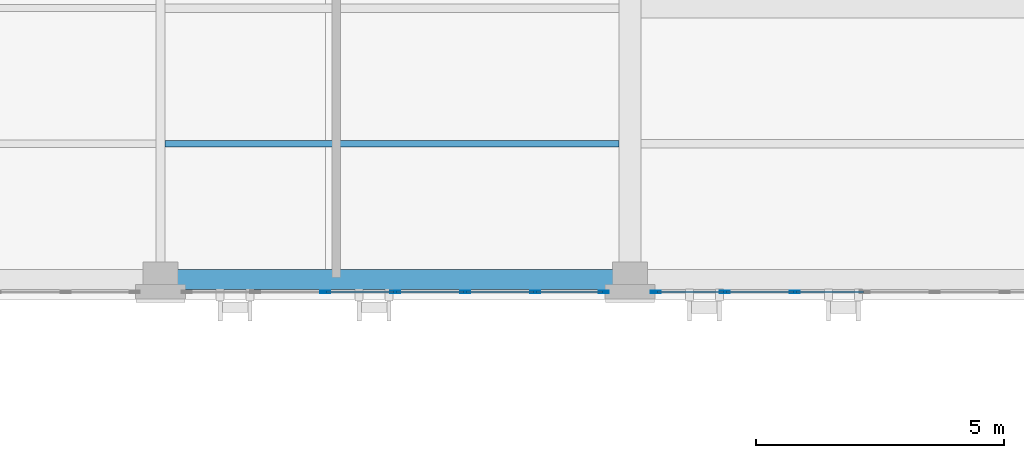
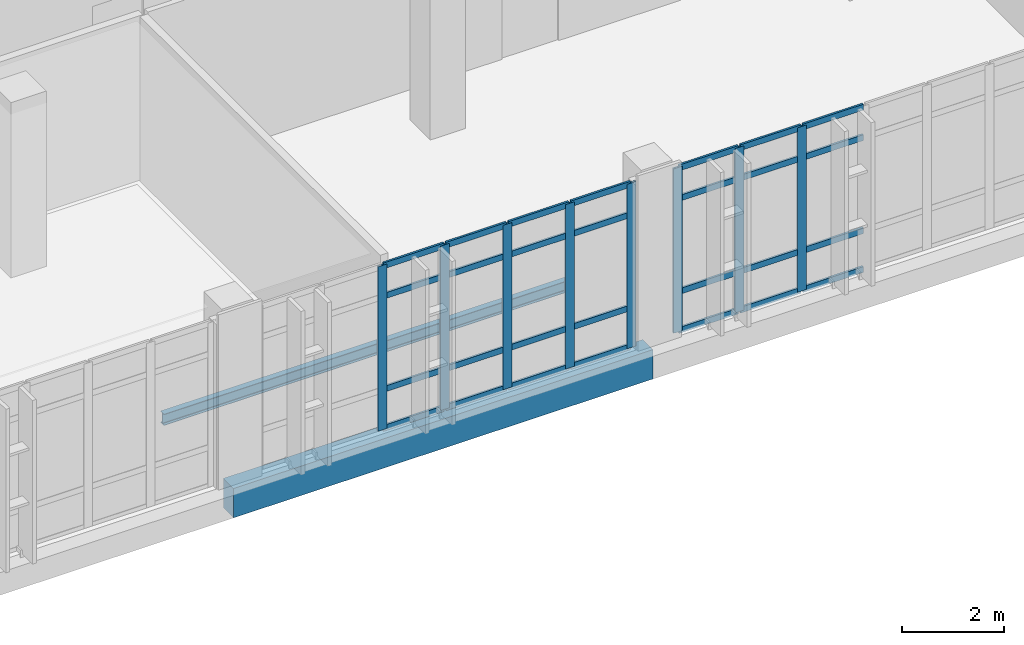
# One storey, part 35 of 165: 36 members, 2 beams, 2 elements without a shape of their own.
"""IFC4 building model written with IfcOpenShell, lengths in metres."""

import ifcopenshell
import ifcopenshell.guid

model = None  # the IFC model being written
_history = None  # IfcOwnerHistory: only IFC2X3 demands one
_inside = {}  # id of a spatial element -> (the spatial element, [elements in it])
_under = {}  # id of a project, library or spatial element -> (it, [spatial elements below it])
_declared = {}  # id of a project -> (the project, [libraries it declares])
_typed = {}  # id of a type object -> (the type object, [elements of that type])
_made_of = {}  # id of a material, layer set ... -> (it, [elements and type objects made of it])


def new_model(schema):
    """Start an empty IFC model of exactly this schema.

    Asked for "IFC4X3", IfcOpenShell would pick the latest addendum, in which some entities
    have other attributes; the version numbers below select the first issue.
    IFC2X3 requires an IfcOwnerHistory on every rooted entity: one is made here for all.
    """
    global model, _history
    if schema == "IFC4X3":
        model = ifcopenshell.file(schema_version=(4, 3, 0, 0))
    else:
        model = ifcopenshell.file(schema=schema)
    _inside.clear()
    _under.clear()
    _declared.clear()
    _typed.clear()
    _made_of.clear()
    _history = None
    if model.schema == "IFC2X3":
        org = make("IfcOrganization", Name="unknown")
        user = make(
            "IfcPersonAndOrganization",
            ThePerson=make("IfcPerson", FamilyName="unknown"),
            TheOrganization=org,
        )
        app = make(
            "IfcApplication",
            ApplicationDeveloper=org,
            Version="unknown",
            ApplicationFullName="unknown",
            ApplicationIdentifier="unknown",
        )
        _history = make(
            "IfcOwnerHistory",
            OwningUser=user,
            OwningApplication=app,
            ChangeAction="ADDED",
            CreationDate=0,
        )
    return model


def make(cls, **values):
    """One entity of the class cls with the attributes given. An attribute that is None is left unset."""
    return model.create_entity(
        cls, **{name: value for name, value in values.items() if value is not None}
    )


def rooted(cls, **values):
    """An entity with a GlobalId (a new one), such as an element, a storey or a relation."""
    return make(cls, GlobalId=ifcopenshell.guid.new(), OwnerHistory=_history, **values)


def si_unit(unit_type, name, prefix=None):
    """IfcSIUnit, for example si_unit("LENGTHUNIT", "METRE", prefix="MILLI")."""
    return make("IfcSIUnit", UnitType=unit_type, Prefix=prefix, Name=name)


def assignment(units):
    """IfcUnitAssignment: the units of a project."""
    return None if units is None else make("IfcUnitAssignment", Units=units)


def point(xyz):
    """IfcCartesianPoint."""
    return None if xyz is None else make("IfcCartesianPoint", Coordinates=xyz)


def direction(xyz):
    """IfcDirection."""
    return None if xyz is None else make("IfcDirection", DirectionRatios=xyz)


def frame(location, z_axis=None, x_axis=None):
    """IfcAxis2Placement3D, a coordinate frame: its origin and axes. An axis left out is left unset."""
    return make(
        "IfcAxis2Placement3D",
        Location=point(location),
        Axis=direction(z_axis),
        RefDirection=direction(x_axis),
    )


def frame_2d(location, x_axis=None):
    """IfcAxis2Placement2D, a coordinate frame in the plane: its origin and x axis."""
    return make(
        "IfcAxis2Placement2D", Location=point(location), RefDirection=direction(x_axis)
    )


def origin():
    """The frame at (0, 0, 0) with its axes left unset."""
    return frame((0.0, 0.0, 0.0))


def origin_2d():
    """The frame at (0, 0) in the plane with its x axis left unset."""
    return frame_2d((0.0, 0.0))


def place(relative_to, where):
    """IfcLocalPlacement: puts the frame where relative to a parent placement (None: the world)."""
    return make(
        "IfcLocalPlacement", PlacementRelTo=relative_to, RelativePlacement=where
    )


def context(
    kind, dimensions, precision=None, world=None, true_north=None, identifier=None
):
    """IfcGeometricRepresentationContext, for example the 3D "Model" context."""
    return make(
        "IfcGeometricRepresentationContext",
        ContextIdentifier=identifier,
        ContextType=kind,
        CoordinateSpaceDimension=dimensions,
        Precision=precision,
        WorldCoordinateSystem=world,
        TrueNorth=true_north,
    )


def subcontext(parent, identifier, kind, view, scale=None):
    """IfcGeometricRepresentationSubContext, for example "Body" below "Model"."""
    return make(
        "IfcGeometricRepresentationSubContext",
        ContextIdentifier=identifier,
        ContextType=kind,
        ParentContext=parent,
        TargetScale=scale,
        TargetView=view,
    )


def project(units=None, contexts=None):
    """IfcProject with its units and contexts."""
    return rooted(
        "IfcProject",
        Name="project",
        RepresentationContexts=contexts,
        UnitsInContext=assignment(units),
    )


def spatial(cls, under=None, at=None, **own):
    """A site, building, storey or space (cls), placed at a placement, below another one or the project."""
    s = rooted(cls, ObjectPlacement=at, **own)
    if under is not None:
        _under.setdefault(under.id(), (under, []))[1].append(s)
    return s


def profile(cls, at=None, kind="AREA", **sizes):
    """A parametric profile (cls). Its sizes go by their IFC names, for example OverallWidth=200.0."""
    return make(cls, ProfileType=kind, Position=at, **sizes)


def rectangle(**sizes):
    """IfcRectangleProfileDef."""
    return profile("IfcRectangleProfileDef", **sizes)


def hollow_rectangle(**sizes):
    """IfcRectangleHollowProfileDef."""
    return profile("IfcRectangleHollowProfileDef", **sizes)


def i_section(**sizes):
    """IfcIShapeProfileDef."""
    return profile("IfcIShapeProfileDef", **sizes)


def extrude(swept, where, along, depth):
    """IfcExtrudedAreaSolid: the profile swept, set in the frame where, extruded along a direction by depth."""
    return make(
        "IfcExtrudedAreaSolid",
        SweptArea=swept,
        Position=where,
        ExtrudedDirection=direction(along),
        Depth=depth,
    )


def shape(context_of_items, identifier, shape_type, items):
    """IfcShapeRepresentation: the items that make up one representation, for example the "Body"."""
    return make(
        "IfcShapeRepresentation",
        ContextOfItems=context_of_items,
        RepresentationIdentifier=identifier,
        RepresentationType=shape_type,
        Items=items,
    )


def material(Name=None, Category=None):
    """IfcMaterial."""
    return make("IfcMaterial", Name=Name, Category=Category)


def layer(
    of_material, thickness, ventilated=None, Name=None, Category=None, Priority=None
):
    """IfcMaterialLayer: one layer of a wall or slab, of a material (None: an air gap)."""
    return make(
        "IfcMaterialLayer",
        Material=of_material,
        LayerThickness=thickness,
        IsVentilated=ventilated,
        Name=Name,
        Category=Category,
        Priority=Priority,
    )


def layer_set(layers, Name=None):
    """IfcMaterialLayerSet."""
    return make("IfcMaterialLayerSet", MaterialLayers=layers, LayerSetName=Name)


def material_profile(
    of_material, cross_section, Name=None, Category=None, Priority=None
):
    """IfcMaterialProfile: a cross section and its material."""
    return make(
        "IfcMaterialProfile",
        Name=Name,
        Material=of_material,
        Profile=cross_section,
        Priority=Priority,
        Category=Category,
    )


def profile_set(profiles, Name=None, composite=None):
    """IfcMaterialProfileSet."""
    return make(
        "IfcMaterialProfileSet",
        Name=Name,
        MaterialProfiles=profiles,
        CompositeProfile=composite,
    )


def made_of(thing, what):
    """Note that an element or type object is made of a material, layer set ...; save() writes the relation."""
    if what is not None:
        _made_of.setdefault(what.id(), (what, []))[1].append(thing)
    return thing


def type_object(cls, material=None, **own):
    """A type object (cls), such as IfcWallType, which elements share."""
    return made_of(rooted(cls, **own), material)


def element(
    cls,
    number,
    at=None,
    inside=None,
    cuts=None,
    type_object=None,
    material=None,
    context=None,
    identifier="Body",
    shape_type=None,
    held_by="IfcProductDefinitionShape",
    body=None,
    shapes=None,
    **own,
):
    """One element of the class cls, such as IfcWall. Its Tag is "e" and its number.

    at: its placement. inside: the storey or other place that contains it. cuts: it is an
    opening in that element (IfcRelVoidsElement). A single representation is given by context,
    identifier, shape_type and body (its items); several are given by shapes. held_by: the class
    of the entity that holds the representations. save() writes the other relations.
    """
    e = rooted(cls, Tag="e%d" % number, ObjectPlacement=at, **own)
    if body is not None:
        shapes = [shape(context, identifier, shape_type, body)]
    if shapes is not None:
        e.Representation = make(held_by, Representations=shapes)
    if inside is not None:
        _inside.setdefault(inside.id(), (inside, []))[1].append(e)
    if cuts is not None:
        rooted(
            "IfcRelVoidsElement", RelatingBuildingElement=cuts, RelatedOpeningElement=e
        )
    if type_object is not None:
        _typed.setdefault(type_object.id(), (type_object, []))[1].append(e)
    return made_of(e, material)


def aggregate(whole, parts):
    """IfcRelAggregates: a whole, such as a stair, and the parts it consists of."""
    return rooted("IfcRelAggregates", RelatingObject=whole, RelatedObjects=parts)


def save(model, path):
    """Write the relations noted so far, then the file.

    IfcRelAggregates (storeys below a building ...), IfcRelContainedInSpatialStructure (elements
    in a storey), IfcRelDefinesByType, IfcRelAssociatesMaterial and IfcRelDeclares: one each for
    every whole, place, type object, material and project.
    """
    for whole, parts in _under.values():
        aggregate(whole, parts)
    for where, things in _inside.values():
        rooted(
            "IfcRelContainedInSpatialStructure",
            RelatedElements=things,
            RelatingStructure=where,
        )
    for kind, things in _typed.values():
        rooted("IfcRelDefinesByType", RelatedObjects=things, RelatingType=kind)
    for what, things in _made_of.values():
        rooted("IfcRelAssociatesMaterial", RelatedObjects=things, RelatingMaterial=what)
    for by, libraries in _declared.values():
        rooted("IfcRelDeclares", RelatingContext=by, RelatedDefinitions=libraries)
    model.write(path)


model = new_model("IFC4")

# Units and contexts
model_context = context("Model", 3, precision=1e-05, world=origin(), true_north=direction((0.0, 1.0)))
body_context = subcontext(model_context, "Body", "Model", "MODEL_VIEW")
ifc_project = project(units=[si_unit("LENGTHUNIT", "METRE"), si_unit("AREAUNIT", "SQUARE_METRE"), si_unit("VOLUMEUNIT", "CUBIC_METRE"), si_unit("PLANEANGLEUNIT", "RADIAN"), si_unit("MASSUNIT", "GRAM", prefix="KILO")], contexts=[model_context])

# Site, building, storey
site_placement = place(None, origin())
site = spatial("IfcSite", under=ifc_project, at=site_placement, CompositionType="ELEMENT")
building_placement = place(site_placement, origin())
building = spatial("IfcBuilding", under=site, at=building_placement, Name="Qalavern Law Courts", CompositionType="ELEMENT")
storey_placement = place(building_placement, frame((0.0, 0.0, 14.39990234375)))
storey = spatial("IfcBuildingStorey", under=building, at=storey_placement, Name="L03", CompositionType="ELEMENT", Elevation=14.39990234375)

# Curtain wall, members
ifc_material_1 = material(Name="Anodised aluminium and insulated glazing", Category="aluminium")
ifc_layer = layer(ifc_material_1, 0.18505859375)
ifc_layer_set = layer_set([ifc_layer], Name="Anodised aluminium and insulated glazing")
curtain_wall_type = type_object("IfcCurtainWallType", Name="ENV-CW-HALL", PredefinedType="USERDEFINED", material=ifc_layer_set)
curtain_wall_1_placement = place(storey_placement, origin())
curtain_wall_1 = element("IfcCurtainWall", 1, at=curtain_wall_1_placement, inside=storey, type_object=curtain_wall_type, Name="V2 unitised curtain wall L03 south 3", ObjectType="UNITISED CURTAIN WALL", PredefinedType="USERDEFINED")
ifc_material_2 = material(Name="Anodised aluminium", Category="aluminium")
ifc_material_profile_1 = material_profile(ifc_material_2, hollow_rectangle(XDim=0.048095703125, YDim=0.199951171875, WallThickness=0.00439453125, at=origin_2d()), Name="ALU MULLION 48x200")
ifc_profile_set_1 = profile_set([ifc_material_profile_1], Name="Anodised aluminium")
member_type_1 = type_object("IfcMemberType", Name="ENV-CWM-48x200", PredefinedType="MULLION", material=ifc_profile_set_1)
member_1_placement = place(storey_placement, frame((66.301025390625, 5.347412109375, 0.0), z_axis=(0.0, 0.0, 1.0), x_axis=(0.0, 1.0, 0.0)))
member_1 = element("IfcMember", 2, at=member_1_placement, type_object=member_type_1, Name="CW-02 mullion 3", PredefinedType="MULLION", context=body_context, shape_type="SweptSolid", body=[
    extrude(hollow_rectangle(XDim=0.048095703125, YDim=0.199951171875, WallThickness=0.00439453125, at=origin_2d()), origin(), (0.0, 0.0, 1.0), 3.920166015625),
])
member_2_placement = place(storey_placement, frame((67.7099609375, 5.347412109375, 0.0), z_axis=(0.0, 0.0, 1.0), x_axis=(0.0, 1.0, 0.0)))
member_2 = element("IfcMember", 3, at=member_2_placement, type_object=member_type_1, Name="CW-02 mullion 4", PredefinedType="MULLION", context=body_context, shape_type="SweptSolid", body=[
    extrude(hollow_rectangle(XDim=0.048095703125, YDim=0.199951171875, WallThickness=0.00439453125, at=origin_2d()), origin(), (0.0, 0.0, 1.0), 3.920166015625),
])
member_3_placement = place(storey_placement, frame((69.119140625, 5.347412109375, 0.0), z_axis=(0.0, 0.0, 1.0), x_axis=(0.0, 1.0, 0.0)))
member_3 = element("IfcMember", 4, at=member_3_placement, type_object=member_type_1, Name="CW-02 mullion 5", PredefinedType="MULLION", context=body_context, shape_type="SweptSolid", body=[
    extrude(hollow_rectangle(XDim=0.048095703125, YDim=0.199951171875, WallThickness=0.00439453125, at=origin_2d()), origin(), (0.0, 0.0, 1.0), 3.920166015625),
])
member_4_placement = place(storey_placement, frame((70.528076171875, 5.347412109375, 0.0), z_axis=(0.0, 0.0, 1.0), x_axis=(0.0, 1.0, 0.0)))
member_4 = element("IfcMember", 5, at=member_4_placement, type_object=member_type_1, Name="CW-02 mullion 6", PredefinedType="MULLION", context=body_context, shape_type="SweptSolid", body=[
    extrude(hollow_rectangle(XDim=0.048095703125, YDim=0.199951171875, WallThickness=0.00439453125, at=origin_2d()), origin(), (0.0, 0.0, 1.0), 3.920166015625),
])
member_5_placement = place(storey_placement, frame((71.9130859375, 5.347412109375, 0.0), z_axis=(0.0, 0.0, 1.0), x_axis=(0.0, 1.0, 0.0)))
member_5 = element("IfcMember", 6, at=member_5_placement, type_object=member_type_1, Name="CW-02 mullion 7", PredefinedType="MULLION", context=body_context, shape_type="SweptSolid", body=[
    extrude(hollow_rectangle(XDim=0.048095703125, YDim=0.199951171875, WallThickness=0.00439453125, at=origin_2d()), origin(), (0.0, 0.0, 1.0), 3.920166015625),
])

curtain_wall_2_placement = place(storey_placement, origin())
curtain_wall_2 = element("IfcCurtainWall", 7, at=curtain_wall_2_placement, inside=storey, type_object=curtain_wall_type, Name="V2 unitised curtain wall L03 south 4", ObjectType="UNITISED CURTAIN WALL", PredefinedType="USERDEFINED")
member_6_placement = place(storey_placement, frame((72.961181640625, 5.347412109375, 0.0), z_axis=(0.0, 0.0, 1.0), x_axis=(0.0, 1.0, 0.0)))
member_6 = element("IfcMember", 8, at=member_6_placement, type_object=member_type_1, Name="CW-02 mullion 1", PredefinedType="MULLION", context=body_context, shape_type="SweptSolid", body=[
    extrude(hollow_rectangle(XDim=0.048095703125, YDim=0.199951171875, WallThickness=0.00439453125, at=origin_2d()), origin(), (0.0, 0.0, 1.0), 3.920166015625),
])
member_7_placement = place(storey_placement, frame((74.34619140625, 5.347412109375, 0.0), z_axis=(0.0, 0.0, 1.0), x_axis=(0.0, 1.0, 0.0)))
member_7 = element("IfcMember", 9, at=member_7_placement, type_object=member_type_1, Name="CW-02 mullion 2", PredefinedType="MULLION", context=body_context, shape_type="SweptSolid", body=[
    extrude(hollow_rectangle(XDim=0.048095703125, YDim=0.199951171875, WallThickness=0.00439453125, at=origin_2d()), origin(), (0.0, 0.0, 1.0), 3.920166015625),
])
member_8_placement = place(storey_placement, frame((75.755126953125, 5.347412109375, 0.0), z_axis=(0.0, 0.0, 1.0), x_axis=(0.0, 1.0, 0.0)))
member_8 = element("IfcMember", 10, at=member_8_placement, type_object=member_type_1, Name="CW-02 mullion 3", PredefinedType="MULLION", context=body_context, shape_type="SweptSolid", body=[
    extrude(hollow_rectangle(XDim=0.048095703125, YDim=0.199951171875, WallThickness=0.00439453125, at=origin_2d()), origin(), (0.0, 0.0, 1.0), 3.920166015625),
])

# Member
ifc_material_profile_2 = material_profile(ifc_material_2, hollow_rectangle(XDim=0.048095703125, YDim=0.139892578125, WallThickness=0.00390625, at=origin_2d()), Name="ALU TRANSOM 48x140")
ifc_profile_set_2 = profile_set([ifc_material_profile_2], Name="Anodised aluminium")
member_type_2 = type_object("IfcMemberType", Name="ENV-CWT-48x140", PredefinedType="USERDEFINED", material=ifc_profile_set_2)
member_9_placement = place(storey_placement, frame((66.324951171875, 5.347412109375, 0.024169921875), z_axis=(1.0, 0.0, 0.0), x_axis=(0.0, 1.0, 0.0)))
member_9 = element("IfcMember", 11, at=member_9_placement, type_object=member_type_2, Name="CW-02 transom 3.1", ObjectType="TRANSOM", PredefinedType="USERDEFINED", context=body_context, shape_type="SweptSolid", body=[
    extrude(hollow_rectangle(XDim=0.048095703125, YDim=0.139892578125, WallThickness=0.00390625, at=origin_2d()), origin(), (0.0, 0.0, 1.0), 1.361083984375),
])

member_10_placement = place(storey_placement, frame((66.324951171875, 5.347412109375, 0.9501953125), z_axis=(1.0, 0.0, 0.0), x_axis=(0.0, 1.0, 0.0)))
member_10 = element("IfcMember", 12, at=member_10_placement, type_object=member_type_2, Name="CW-02 transom 3.2", ObjectType="TRANSOM", PredefinedType="USERDEFINED", context=body_context, shape_type="SweptSolid", body=[
    extrude(hollow_rectangle(XDim=0.048095703125, YDim=0.139892578125, WallThickness=0.00390625, at=origin_2d()), origin(), (0.0, 0.0, 1.0), 1.361083984375),
])

member_11_placement = place(storey_placement, frame((66.324951171875, 5.347412109375, 3.170166015625), z_axis=(1.0, 0.0, 0.0), x_axis=(0.0, 1.0, 0.0)))
member_11 = element("IfcMember", 13, at=member_11_placement, type_object=member_type_2, Name="CW-02 transom 3.3", ObjectType="TRANSOM", PredefinedType="USERDEFINED", context=body_context, shape_type="SweptSolid", body=[
    extrude(hollow_rectangle(XDim=0.048095703125, YDim=0.139892578125, WallThickness=0.00390625, at=origin_2d()), origin(), (0.0, 0.0, 1.0), 1.361083984375),
])

member_12_placement = place(storey_placement, frame((66.324951171875, 5.347412109375, 3.89599609375), z_axis=(1.0, 0.0, 0.0), x_axis=(0.0, 1.0, 0.0)))
member_12 = element("IfcMember", 14, at=member_12_placement, type_object=member_type_2, Name="CW-02 transom 3.4", ObjectType="TRANSOM", PredefinedType="USERDEFINED", context=body_context, shape_type="SweptSolid", body=[
    extrude(hollow_rectangle(XDim=0.048095703125, YDim=0.139892578125, WallThickness=0.00390625, at=origin_2d()), origin(), (0.0, 0.0, 1.0), 1.361083984375),
])

member_13_placement = place(storey_placement, frame((67.73388671875, 5.347412109375, 0.024169921875), z_axis=(1.0, 0.0, 0.0), x_axis=(0.0, 1.0, 0.0)))
member_13 = element("IfcMember", 15, at=member_13_placement, type_object=member_type_2, Name="CW-02 transom 4.1", ObjectType="TRANSOM", PredefinedType="USERDEFINED", context=body_context, shape_type="SweptSolid", body=[
    extrude(hollow_rectangle(XDim=0.048095703125, YDim=0.139892578125, WallThickness=0.00390625, at=origin_2d()), origin(), (0.0, 0.0, 1.0), 1.361083984375),
])

member_14_placement = place(storey_placement, frame((67.73388671875, 5.347412109375, 0.9501953125), z_axis=(1.0, 0.0, 0.0), x_axis=(0.0, 1.0, 0.0)))
member_14 = element("IfcMember", 16, at=member_14_placement, type_object=member_type_2, Name="CW-02 transom 4.2", ObjectType="TRANSOM", PredefinedType="USERDEFINED", context=body_context, shape_type="SweptSolid", body=[
    extrude(hollow_rectangle(XDim=0.048095703125, YDim=0.139892578125, WallThickness=0.00390625, at=origin_2d()), origin(), (0.0, 0.0, 1.0), 1.361083984375),
])

member_15_placement = place(storey_placement, frame((67.73388671875, 5.347412109375, 3.170166015625), z_axis=(1.0, 0.0, 0.0), x_axis=(0.0, 1.0, 0.0)))
member_15 = element("IfcMember", 17, at=member_15_placement, type_object=member_type_2, Name="CW-02 transom 4.3", ObjectType="TRANSOM", PredefinedType="USERDEFINED", context=body_context, shape_type="SweptSolid", body=[
    extrude(hollow_rectangle(XDim=0.048095703125, YDim=0.139892578125, WallThickness=0.00390625, at=origin_2d()), origin(), (0.0, 0.0, 1.0), 1.361083984375),
])

member_16_placement = place(storey_placement, frame((67.73388671875, 5.347412109375, 3.89599609375), z_axis=(1.0, 0.0, 0.0), x_axis=(0.0, 1.0, 0.0)))
member_16 = element("IfcMember", 18, at=member_16_placement, type_object=member_type_2, Name="CW-02 transom 4.4", ObjectType="TRANSOM", PredefinedType="USERDEFINED", context=body_context, shape_type="SweptSolid", body=[
    extrude(hollow_rectangle(XDim=0.048095703125, YDim=0.139892578125, WallThickness=0.00390625, at=origin_2d()), origin(), (0.0, 0.0, 1.0), 1.361083984375),
])

member_17_placement = place(storey_placement, frame((69.14306640625, 5.347412109375, 0.024169921875), z_axis=(1.0, 0.0, 0.0), x_axis=(0.0, 1.0, 0.0)))
member_17 = element("IfcMember", 19, at=member_17_placement, type_object=member_type_2, Name="CW-02 transom 5.1", ObjectType="TRANSOM", PredefinedType="USERDEFINED", context=body_context, shape_type="SweptSolid", body=[
    extrude(hollow_rectangle(XDim=0.048095703125, YDim=0.139892578125, WallThickness=0.00390625, at=origin_2d()), origin(), (0.0, 0.0, 1.0), 1.361083984375),
])

member_18_placement = place(storey_placement, frame((69.14306640625, 5.347412109375, 0.9501953125), z_axis=(1.0, 0.0, 0.0), x_axis=(0.0, 1.0, 0.0)))
member_18 = element("IfcMember", 20, at=member_18_placement, type_object=member_type_2, Name="CW-02 transom 5.2", ObjectType="TRANSOM", PredefinedType="USERDEFINED", context=body_context, shape_type="SweptSolid", body=[
    extrude(hollow_rectangle(XDim=0.048095703125, YDim=0.139892578125, WallThickness=0.00390625, at=origin_2d()), origin(), (0.0, 0.0, 1.0), 1.361083984375),
])

member_19_placement = place(storey_placement, frame((69.14306640625, 5.347412109375, 3.170166015625), z_axis=(1.0, 0.0, 0.0), x_axis=(0.0, 1.0, 0.0)))
member_19 = element("IfcMember", 21, at=member_19_placement, type_object=member_type_2, Name="CW-02 transom 5.3", ObjectType="TRANSOM", PredefinedType="USERDEFINED", context=body_context, shape_type="SweptSolid", body=[
    extrude(hollow_rectangle(XDim=0.048095703125, YDim=0.139892578125, WallThickness=0.00390625, at=origin_2d()), origin(), (0.0, 0.0, 1.0), 1.361083984375),
])

member_20_placement = place(storey_placement, frame((69.14306640625, 5.347412109375, 3.89599609375), z_axis=(1.0, 0.0, 0.0), x_axis=(0.0, 1.0, 0.0)))
member_20 = element("IfcMember", 22, at=member_20_placement, type_object=member_type_2, Name="CW-02 transom 5.4", ObjectType="TRANSOM", PredefinedType="USERDEFINED", context=body_context, shape_type="SweptSolid", body=[
    extrude(hollow_rectangle(XDim=0.048095703125, YDim=0.139892578125, WallThickness=0.00390625, at=origin_2d()), origin(), (0.0, 0.0, 1.0), 1.361083984375),
])

member_21_placement = place(storey_placement, frame((70.552001953125, 5.347412109375, 0.024169921875), z_axis=(1.0, 0.0, 0.0), x_axis=(0.0, 1.0, 0.0)))
member_21 = element("IfcMember", 23, at=member_21_placement, type_object=member_type_2, Name="CW-02 transom 6.1", ObjectType="TRANSOM", PredefinedType="USERDEFINED", context=body_context, shape_type="SweptSolid", body=[
    extrude(hollow_rectangle(XDim=0.048095703125, YDim=0.139892578125, WallThickness=0.00390625, at=origin_2d()), origin(), (0.0, 0.0, 1.0), 1.337158203125),
])

member_22_placement = place(storey_placement, frame((70.552001953125, 5.347412109375, 0.9501953125), z_axis=(1.0, 0.0, 0.0), x_axis=(0.0, 1.0, 0.0)))
member_22 = element("IfcMember", 24, at=member_22_placement, type_object=member_type_2, Name="CW-02 transom 6.2", ObjectType="TRANSOM", PredefinedType="USERDEFINED", context=body_context, shape_type="SweptSolid", body=[
    extrude(hollow_rectangle(XDim=0.048095703125, YDim=0.139892578125, WallThickness=0.00390625, at=origin_2d()), origin(), (0.0, 0.0, 1.0), 1.337158203125),
])

member_23_placement = place(storey_placement, frame((70.552001953125, 5.347412109375, 3.170166015625), z_axis=(1.0, 0.0, 0.0), x_axis=(0.0, 1.0, 0.0)))
member_23 = element("IfcMember", 25, at=member_23_placement, type_object=member_type_2, Name="CW-02 transom 6.3", ObjectType="TRANSOM", PredefinedType="USERDEFINED", context=body_context, shape_type="SweptSolid", body=[
    extrude(hollow_rectangle(XDim=0.048095703125, YDim=0.139892578125, WallThickness=0.00390625, at=origin_2d()), origin(), (0.0, 0.0, 1.0), 1.337158203125),
])

member_24_placement = place(storey_placement, frame((70.552001953125, 5.347412109375, 3.89599609375), z_axis=(1.0, 0.0, 0.0), x_axis=(0.0, 1.0, 0.0)))
member_24 = element("IfcMember", 26, at=member_24_placement, type_object=member_type_2, Name="CW-02 transom 6.4", ObjectType="TRANSOM", PredefinedType="USERDEFINED", context=body_context, shape_type="SweptSolid", body=[
    extrude(hollow_rectangle(XDim=0.048095703125, YDim=0.139892578125, WallThickness=0.00390625, at=origin_2d()), origin(), (0.0, 0.0, 1.0), 1.337158203125),
])

aggregate(curtain_wall_1, [member_1, member_2, member_3, member_4, member_5, member_9, member_10, member_11, member_12, member_13, member_14, member_15, member_16, member_17, member_18, member_19, member_20, member_21, member_22, member_23, member_24])

member_25_placement = place(storey_placement, frame((72.985107421875, 5.347412109375, 0.024169921875), z_axis=(1.0, 0.0, 0.0), x_axis=(0.0, 1.0, 0.0)))
member_25 = element("IfcMember", 27, at=member_25_placement, type_object=member_type_2, Name="CW-02 transom 1.1", ObjectType="TRANSOM", PredefinedType="USERDEFINED", context=body_context, shape_type="SweptSolid", body=[
    extrude(hollow_rectangle(XDim=0.048095703125, YDim=0.139892578125, WallThickness=0.00390625, at=origin_2d()), origin(), (0.0, 0.0, 1.0), 1.337158203125),
])

member_26_placement = place(storey_placement, frame((72.985107421875, 5.347412109375, 0.9501953125), z_axis=(1.0, 0.0, 0.0), x_axis=(0.0, 1.0, 0.0)))
member_26 = element("IfcMember", 28, at=member_26_placement, type_object=member_type_2, Name="CW-02 transom 1.2", ObjectType="TRANSOM", PredefinedType="USERDEFINED", context=body_context, shape_type="SweptSolid", body=[
    extrude(hollow_rectangle(XDim=0.048095703125, YDim=0.139892578125, WallThickness=0.00390625, at=origin_2d()), origin(), (0.0, 0.0, 1.0), 1.337158203125),
])

member_27_placement = place(storey_placement, frame((72.985107421875, 5.347412109375, 3.170166015625), z_axis=(1.0, 0.0, 0.0), x_axis=(0.0, 1.0, 0.0)))
member_27 = element("IfcMember", 29, at=member_27_placement, type_object=member_type_2, Name="CW-02 transom 1.3", ObjectType="TRANSOM", PredefinedType="USERDEFINED", context=body_context, shape_type="SweptSolid", body=[
    extrude(hollow_rectangle(XDim=0.048095703125, YDim=0.139892578125, WallThickness=0.00390625, at=origin_2d()), origin(), (0.0, 0.0, 1.0), 1.337158203125),
])

member_28_placement = place(storey_placement, frame((72.985107421875, 5.347412109375, 3.89599609375), z_axis=(1.0, 0.0, 0.0), x_axis=(0.0, 1.0, 0.0)))
member_28 = element("IfcMember", 30, at=member_28_placement, type_object=member_type_2, Name="CW-02 transom 1.4", ObjectType="TRANSOM", PredefinedType="USERDEFINED", context=body_context, shape_type="SweptSolid", body=[
    extrude(hollow_rectangle(XDim=0.048095703125, YDim=0.139892578125, WallThickness=0.00390625, at=origin_2d()), origin(), (0.0, 0.0, 1.0), 1.337158203125),
])

member_29_placement = place(storey_placement, frame((74.3701171875, 5.347412109375, 0.024169921875), z_axis=(1.0, 0.0, 0.0), x_axis=(0.0, 1.0, 0.0)))
member_29 = element("IfcMember", 31, at=member_29_placement, type_object=member_type_2, Name="CW-02 transom 2.1", ObjectType="TRANSOM", PredefinedType="USERDEFINED", context=body_context, shape_type="SweptSolid", body=[
    extrude(hollow_rectangle(XDim=0.048095703125, YDim=0.139892578125, WallThickness=0.00390625, at=origin_2d()), origin(), (0.0, 0.0, 1.0), 1.361083984375),
])

member_30_placement = place(storey_placement, frame((74.3701171875, 5.347412109375, 0.9501953125), z_axis=(1.0, 0.0, 0.0), x_axis=(0.0, 1.0, 0.0)))
member_30 = element("IfcMember", 32, at=member_30_placement, type_object=member_type_2, Name="CW-02 transom 2.2", ObjectType="TRANSOM", PredefinedType="USERDEFINED", context=body_context, shape_type="SweptSolid", body=[
    extrude(hollow_rectangle(XDim=0.048095703125, YDim=0.139892578125, WallThickness=0.00390625, at=origin_2d()), origin(), (0.0, 0.0, 1.0), 1.361083984375),
])

member_31_placement = place(storey_placement, frame((74.3701171875, 5.347412109375, 3.170166015625), z_axis=(1.0, 0.0, 0.0), x_axis=(0.0, 1.0, 0.0)))
member_31 = element("IfcMember", 33, at=member_31_placement, type_object=member_type_2, Name="CW-02 transom 2.3", ObjectType="TRANSOM", PredefinedType="USERDEFINED", context=body_context, shape_type="SweptSolid", body=[
    extrude(hollow_rectangle(XDim=0.048095703125, YDim=0.139892578125, WallThickness=0.00390625, at=origin_2d()), origin(), (0.0, 0.0, 1.0), 1.361083984375),
])

member_32_placement = place(storey_placement, frame((74.3701171875, 5.347412109375, 3.89599609375), z_axis=(1.0, 0.0, 0.0), x_axis=(0.0, 1.0, 0.0)))
member_32 = element("IfcMember", 34, at=member_32_placement, type_object=member_type_2, Name="CW-02 transom 2.4", ObjectType="TRANSOM", PredefinedType="USERDEFINED", context=body_context, shape_type="SweptSolid", body=[
    extrude(hollow_rectangle(XDim=0.048095703125, YDim=0.139892578125, WallThickness=0.00390625, at=origin_2d()), origin(), (0.0, 0.0, 1.0), 1.361083984375),
])

member_33_placement = place(storey_placement, frame((75.779296875, 5.347412109375, 0.024169921875), z_axis=(1.0, 0.0, 0.0), x_axis=(0.0, 1.0, 0.0)))
member_33 = element("IfcMember", 35, at=member_33_placement, type_object=member_type_2, Name="CW-02 transom 3.1", ObjectType="TRANSOM", PredefinedType="USERDEFINED", context=body_context, shape_type="SweptSolid", body=[
    extrude(hollow_rectangle(XDim=0.048095703125, YDim=0.139892578125, WallThickness=0.00390625, at=origin_2d()), origin(), (0.0, 0.0, 1.0), 1.36083984375),
])

member_34_placement = place(storey_placement, frame((75.779296875, 5.347412109375, 0.9501953125), z_axis=(1.0, 0.0, 0.0), x_axis=(0.0, 1.0, 0.0)))
member_34 = element("IfcMember", 36, at=member_34_placement, type_object=member_type_2, Name="CW-02 transom 3.2", ObjectType="TRANSOM", PredefinedType="USERDEFINED", context=body_context, shape_type="SweptSolid", body=[
    extrude(hollow_rectangle(XDim=0.048095703125, YDim=0.139892578125, WallThickness=0.00390625, at=origin_2d()), origin(), (0.0, 0.0, 1.0), 1.36083984375),
])

member_35_placement = place(storey_placement, frame((75.779296875, 5.347412109375, 3.170166015625), z_axis=(1.0, 0.0, 0.0), x_axis=(0.0, 1.0, 0.0)))
member_35 = element("IfcMember", 37, at=member_35_placement, type_object=member_type_2, Name="CW-02 transom 3.3", ObjectType="TRANSOM", PredefinedType="USERDEFINED", context=body_context, shape_type="SweptSolid", body=[
    extrude(hollow_rectangle(XDim=0.048095703125, YDim=0.139892578125, WallThickness=0.00390625, at=origin_2d()), origin(), (0.0, 0.0, 1.0), 1.36083984375),
])

member_36_placement = place(storey_placement, frame((75.779296875, 5.347412109375, 3.89599609375), z_axis=(1.0, 0.0, 0.0), x_axis=(0.0, 1.0, 0.0)))
member_36 = element("IfcMember", 38, at=member_36_placement, type_object=member_type_2, Name="CW-02 transom 3.4", ObjectType="TRANSOM", PredefinedType="USERDEFINED", context=body_context, shape_type="SweptSolid", body=[
    extrude(hollow_rectangle(XDim=0.048095703125, YDim=0.139892578125, WallThickness=0.00390625, at=origin_2d()), origin(), (0.0, 0.0, 1.0), 1.36083984375),
])

aggregate(curtain_wall_2, [member_6, member_7, member_8, member_25, member_26, member_27, member_28, member_29, member_30, member_31, member_32, member_33, member_34, member_35, member_36])

# Beams
ifc_material_3 = material(Name="Steel S355", Category="steel")
ifc_material_profile_3 = material_profile(ifc_material_3, i_section(OverallWidth=0.135009765625, OverallDepth=0.27001953125, WebThickness=0.006591796875, FlangeThickness=0.01025390625, FilletRadius=0.014892578125, at=origin_2d()), Name="IPE 270")
ifc_profile_set_3 = profile_set([ifc_material_profile_3], Name="Steel S355")
beam_type_1 = type_object("IfcBeamType", Name="STR-JST-IPE270", PredefinedType="JOIST", material=ifc_profile_set_3)
beam_1_placement = place(storey_placement, frame((63.07080078125, 8.333251953125, -0.419921875), z_axis=(1.0, 0.0, 0.0), x_axis=(0.0, 1.0, 0.0)))
element("IfcBeam", 39, at=beam_1_placement, inside=storey, type_object=beam_type_1, Name="V2 secondary joist 4.1.1 L03", PredefinedType="JOIST", context=body_context, shape_type="SweptSolid", body=[
    extrude(i_section(OverallWidth=0.135009765625, OverallDepth=0.27001953125, WebThickness=0.006591796875, FlangeThickness=0.01025390625, FilletRadius=0.014892578125, at=origin_2d()), origin(), (0.0, 0.0, 1.0), 9.143310546875),
])
ifc_material_4 = material(Name="Concrete C40/50", Category="concrete")
ifc_material_profile_4 = material_profile(ifc_material_4, rectangle(XDim=0.39990234375, YDim=0.699951171875, at=origin_2d()), Name="RC 400x700")
ifc_profile_set_4 = profile_set([ifc_material_profile_4], Name="Concrete C40/50")
beam_type_2 = type_object("IfcBeamType", Name="STR-SP-RC400x700", PredefinedType="SPANDREL", material=ifc_profile_set_4)
beam_2_placement = place(storey_placement, frame((62.98291015625, 5.60009765625, -0.635009765625), z_axis=(1.0, 0.0, 0.0), x_axis=(0.0, 1.0, 0.0)))
element("IfcBeam", 40, at=beam_2_placement, inside=storey, type_object=beam_type_2, Name="V2 X-beam 1-4 L03", PredefinedType="SPANDREL", context=body_context, shape_type="SweptSolid", body=[
    extrude(rectangle(XDim=0.39990234375, YDim=0.699951171875, at=origin_2d()), origin(), (0.0, 0.0, 1.0), 9.4541015625),
])

save(model, "model.ifc")
